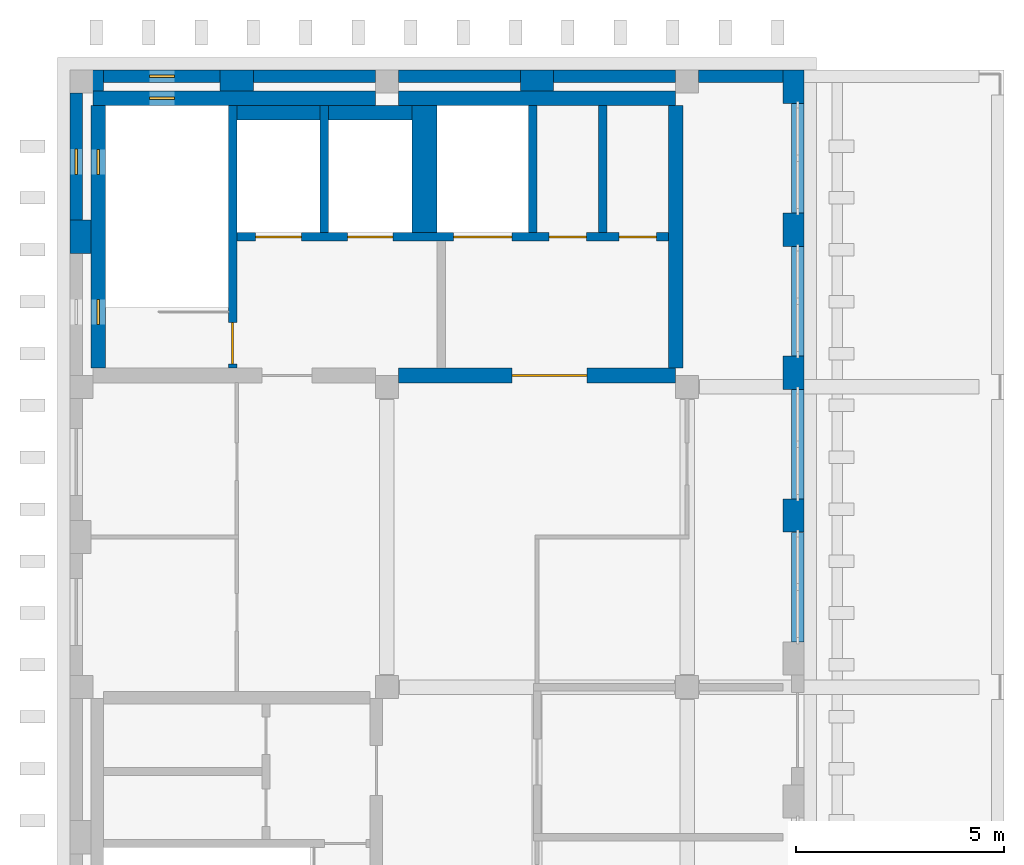
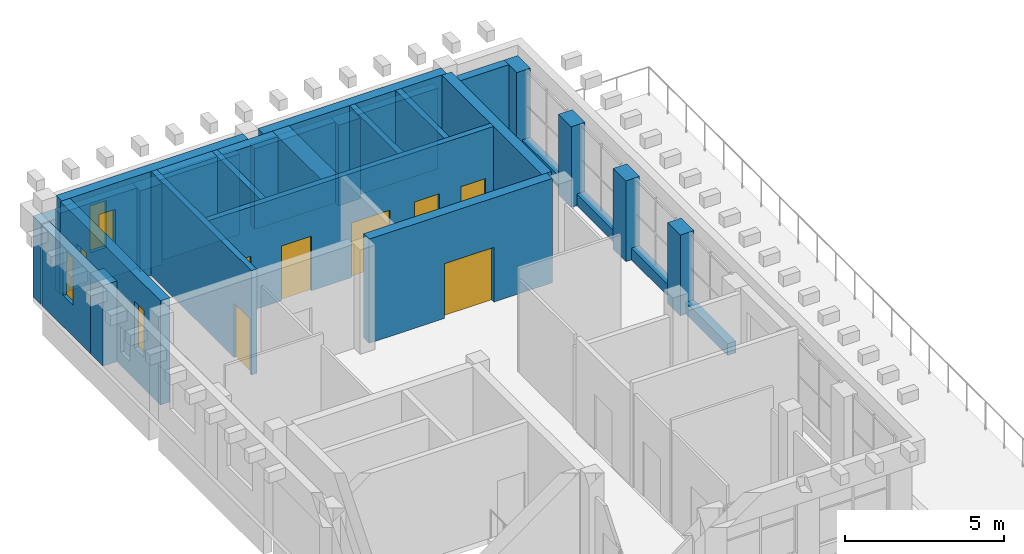
# One storey, part 5 of 6: 31 walls, 7 doors, 5 windows, 12 openings.
"""IFC4 building model written with IfcOpenShell, lengths in metres."""

from ifc_helpers import new_model, si_unit, direction, frame, frame_2d, origin, place, context, subcontext, project, spatial, rectangle, extrude, material, layer, layer_set, type_object, element, fill, save


model = new_model("IFC4")

# Units and contexts
model_context = context("Model", 3, precision=1e-05, world=origin(), true_north=direction((0.0, 1.0)))
body_context = subcontext(model_context, "Body", "Model", "MODEL_VIEW")
ifc_project = project(units=[si_unit("LENGTHUNIT", "METRE"), si_unit("AREAUNIT", "SQUARE_METRE"), si_unit("VOLUMEUNIT", "CUBIC_METRE"), si_unit("PLANEANGLEUNIT", "RADIAN"), si_unit("MASSUNIT", "GRAM", prefix="KILO")], contexts=[model_context])

# Site, building, storey
site_placement = place(None, origin())
site = spatial("IfcSite", under=ifc_project, at=site_placement, CompositionType="ELEMENT")
building_placement = place(site_placement, origin())
building = spatial("IfcBuilding", under=site, at=building_placement, Name="Ussher Court Research Institute", CompositionType="ELEMENT")
storey_placement = place(building_placement, frame((0.0, 0.0, 41.39990234375)))
storey = spatial("IfcBuildingStorey", under=building, at=storey_placement, Name="L09", CompositionType="ELEMENT", Elevation=41.39990234375)

# Walls
ifc_material_1 = material(Name="Blockwork with cream render", Category="masonry")
ifc_layer_1 = layer(ifc_material_1, 0.300048828125)
ifc_layer_set_1 = layer_set([ifc_layer_1], Name="Blockwork with cream render")
wall_type_1 = type_object("IfcWallType", Name="External wall 300 cream render", PredefinedType="SOLIDWALL", material=ifc_layer_set_1)
wall_1_placement = place(storey_placement, frame((96.875, 33.050048828125, 0.0), z_axis=(0.0, 0.0, 1.0), x_axis=(1.0, 0.0, 0.0)))
element("IfcWall", 1, at=wall_1_placement, inside=storey, type_object=wall_type_1, Name="External wall EW1 L09", PredefinedType="SOLIDWALL", context=body_context, shape_type="SweptSolid", body=[
    extrude(rectangle(XDim=2.02490234375, YDim=0.300048828125, at=frame_2d((1.012451171875, 0.0))), origin(), (0.0, 0.0, 1.0), 3.10009765625),
])
for number, where, z_axis, x_axis, name in (
    (2, (99.25, 32.39990234375, 0.0), (0.0, 0.0, 1.0), (0.0, -1.0, 0.0), "Plinth wall EW1 L09"),
    (3, (99.25, 28.971435546875, 0.0), (0.0, 0.0, 1.0), (0.0, -1.0, 0.0), "Plinth wall EW1 L09"),
):
    element("IfcWall", number, at=place(storey_placement, frame(where, z_axis=z_axis, x_axis=x_axis)), inside=storey, type_object=wall_type_1, Name=name, PredefinedType="SOLIDWALL", context=body_context, shape_type="SweptSolid", body=[
        extrude(rectangle(XDim=2.62841796875, YDim=0.300048828125, at=frame_2d((1.314208984375, 0.0))), origin(), (0.0, 0.0, 1.0), 0.4501953125),
    ])
for number, where, z_axis, x_axis, name in (
    (4, (99.25, 25.54296875, 0.0), (0.0, 0.0, 1.0), (0.0, -1.0, 0.0), "Plinth wall EW1 L09"),
    (5, (99.25, 22.1142578125, 0.0), (0.0, 0.0, 1.0), (0.0, -1.0, 0.0), "Plinth wall EW1 L09"),
):
    element("IfcWall", number, at=place(storey_placement, frame(where, z_axis=z_axis, x_axis=x_axis)), inside=storey, type_object=wall_type_1, Name=name, PredefinedType="SOLIDWALL", context=body_context, shape_type="SweptSolid", body=[
        extrude(rectangle(XDim=2.628662109375, YDim=0.300048828125, at=frame_2d((1.314453125, 0.0))), origin(), (0.0, 0.0, 1.0), 0.4501953125),
    ])

# Wall, opening, window
ifc_material_2 = material(Name="Limestone facing on blockwork", Category="masonry")
ifc_layer_2 = layer(ifc_material_2, 0.300048828125)
ifc_layer_set_2 = layer_set([ifc_layer_2], Name="Limestone facing on blockwork")
wall_type_2 = type_object("IfcWallType", Name="External wall 300 stair enclosure", PredefinedType="SOLIDWALL", material=ifc_layer_set_2)
wall_2_placement = place(storey_placement, frame((81.949951171875, 29.60009765625, 0.0), z_axis=(0.0, 0.0, 1.0), x_axis=(0.0, 1.0, 0.0)))
wall_2 = element("IfcWall", 6, at=wall_2_placement, inside=storey, type_object=wall_type_2, Name="External wall EW5 L09", PredefinedType="SOLIDWALL", context=body_context, shape_type="SweptSolid", body=[
    extrude(rectangle(XDim=3.0498046875, YDim=0.300048828125, at=frame_2d((1.52490234375, 0.0))), origin(), (0.0, 0.0, 1.0), 3.10009765625),
])
opening_1_placement = place(wall_2_placement, frame((1.10009765625, 0.0, 1.199951171875)))
opening_1 = element("IfcOpeningElement", 7, at=opening_1_placement, cuts=wall_2, Name="Opening W25", PredefinedType="OPENING", context=body_context, shape_type="SweptSolid", body=[
    extrude(rectangle(XDim=0.60009765625, YDim=1.800048828125, at=frame_2d((0.300048828125, 0.89990234375))), frame((0.0, 0.16015625, 0.0), z_axis=(0.0, -1.0, 0.0), x_axis=(1.0, 0.0, 0.0)), (0.0, 0.0, 1.0), 0.320068359375),
])
ifc_material_3 = material(Name="Bronze anodised aluminium with double glazing", Category="aluminium")
window_type = type_object("IfcWindowType", Name="Stair light slot window 600x1800 fire-resisting glazing", PartitioningType="SINGLE_PANEL", PredefinedType="WINDOW", material=ifc_material_3)
window_1_placement = place(opening_1_placement, origin())
window_1 = element("IfcWindow", 8, at=window_1_placement, inside=storey, type_object=window_type, Name="Window W25 L09", OverallHeight=1.800048828125, OverallWidth=0.60009765625, PartitioningType="SINGLE_PANEL", PredefinedType="WINDOW", context=body_context, shape_type="SweptSolid", body=[
    extrude(rectangle(XDim=0.60009765625, YDim=1.800048828125, at=frame_2d((0.300048828125, 0.89990234375))), frame((0.0, 0.030029296875, 0.0), z_axis=(0.0, -1.0, 0.0), x_axis=(1.0, 0.0, 0.0)), (0.0, 0.0, 1.0), 0.06005859375),
])
fill(opening_1, window_1)

wall_3_placement = place(storey_placement, frame((82.60009765625, 33.050048828125, 0.0), z_axis=(0.0, 0.0, 1.0), x_axis=(1.0, 0.0, 0.0)))
wall_3 = element("IfcWall", 9, at=wall_3_placement, inside=storey, type_object=wall_type_2, Name="External wall EW5 L09", PredefinedType="SOLIDWALL", context=body_context, shape_type="SweptSolid", body=[
    extrude(rectangle(XDim=2.7998046875, YDim=0.300048828125, at=frame_2d((1.39990234375, 0.0))), origin(), (0.0, 0.0, 1.0), 3.10009765625),
])
opening_2_placement = place(wall_3_placement, frame((1.10009765625, 0.0, 1.199951171875)))
opening_2 = element("IfcOpeningElement", 10, at=opening_2_placement, cuts=wall_3, Name="Opening W25", PredefinedType="OPENING", context=body_context, shape_type="SweptSolid", body=[
    extrude(rectangle(XDim=0.60009765625, YDim=1.800048828125, at=frame_2d((0.300048828125, 0.89990234375))), frame((0.0, 0.16015625, 0.0), z_axis=(0.0, -1.0, 0.0), x_axis=(1.0, 0.0, 0.0)), (0.0, 0.0, 1.0), 0.320068359375),
])
window_2_placement = place(opening_2_placement, origin())
window_2 = element("IfcWindow", 11, at=window_2_placement, inside=storey, type_object=window_type, Name="Window W25 L09", OverallHeight=1.800048828125, OverallWidth=0.60009765625, PartitioningType="SINGLE_PANEL", PredefinedType="WINDOW", context=body_context, shape_type="SweptSolid", body=[
    extrude(rectangle(XDim=0.60009765625, YDim=1.800048828125, at=frame_2d((0.300048828125, 0.89990234375))), frame((0.0, 0.030029296875, 0.0), z_axis=(0.0, -1.0, 0.0), x_axis=(1.0, 0.0, 0.0)), (0.0, 0.0, 1.0), 0.06005859375),
])
fill(opening_2, window_2)

# Walls
for number, where, z_axis, x_axis, name in (
    (12, (86.199951171875, 33.050048828125, 0.0), (0.0, 0.0, 1.0), (1.0, 0.0, 0.0), "External wall EW5 L09"),
    (13, (89.675048828125, 33.050048828125, 0.0), (0.0, 0.0, 1.0), (1.0, 0.0, 0.0), "External wall EW5 L09"),
    (14, (93.39990234375, 33.050048828125, 0.0), (0.0, 0.0, 1.0), (1.0, 0.0, 0.0), "External wall EW5 L09"),
):
    element("IfcWall", number, at=place(storey_placement, frame(where, z_axis=z_axis, x_axis=x_axis)), inside=storey, type_object=wall_type_2, Name=name, PredefinedType="SOLIDWALL", context=body_context, shape_type="SweptSolid", body=[
        extrude(rectangle(XDim=2.925048828125, YDim=0.300048828125, at=frame_2d((1.46240234375, 0.0))), origin(), (0.0, 0.0, 1.0), 3.10009765625),
    ])
ifc_material_4 = material(Name="Blockwork with cream render", Category="masonry")
ifc_layer_3 = layer(ifc_material_4, 0.5)
ifc_layer_set_3 = layer_set([ifc_layer_3], Name="Blockwork with cream render")
wall_type_3 = type_object("IfcWallType", Name="Pier 800x500 cream render", PredefinedType="SOLIDWALL", material=ifc_layer_set_3)
for number, where, z_axis, x_axis, name in (
    (15, (82.050048828125, 28.800048828125, 0.0), (0.0, 0.0, 1.0), (0.0, 1.0, 0.0), "Pier PR1 L09"),
    (16, (81.800048828125, 32.949951171875, 0.0), (0.0, 0.0, 1.0), (1.0, 0.0, 0.0), "Pier PR1 L09"),
    (17, (85.39990234375, 32.949951171875, 0.0), (0.0, 0.0, 1.0), (1.0, 0.0, 0.0), "Pier PR1 L09"),
):
    element("IfcWall", number, at=place(storey_placement, frame(where, z_axis=z_axis, x_axis=x_axis)), inside=storey, type_object=wall_type_3, Name=name, PredefinedType="SOLIDWALL", context=body_context, shape_type="SweptSolid", body=[
        extrude(rectangle(XDim=0.800048828125, YDim=0.5, at=frame_2d((0.39990234375, 0.0))), origin(), (0.0, 0.0, 1.0), 3.10009765625),
    ])
wall_4_placement = place(storey_placement, frame((92.60009765625, 32.949951171875, 0.0), z_axis=(0.0, 0.0, 1.0), x_axis=(1.0, 0.0, 0.0)))
element("IfcWall", 18, at=wall_4_placement, inside=storey, type_object=wall_type_3, Name="Pier PR1 L09", PredefinedType="SOLIDWALL", context=body_context, shape_type="SweptSolid", body=[
    extrude(rectangle(XDim=0.7998046875, YDim=0.5, at=frame_2d((0.39990234375, 0.0))), origin(), (0.0, 0.0, 1.0), 3.10009765625),
])
for number, where, z_axis, x_axis, name in (
    (19, (99.14990234375, 33.199951171875, 0.0), (0.0, 0.0, 1.0), (0.0, -1.0, 0.0), "Pier PR1 L09"),
    (20, (99.14990234375, 29.771484375, 0.0), (0.0, 0.0, 1.0), (0.0, -1.0, 0.0), "Pier PR1 L09"),
    (21, (99.14990234375, 26.343017578125, 0.0), (0.0, 0.0, 1.0), (0.0, -1.0, 0.0), "Pier PR1 L09"),
    (22, (99.14990234375, 22.914306640625, 0.0), (0.0, 0.0, 1.0), (0.0, -1.0, 0.0), "Pier PR1 L09"),
):
    element("IfcWall", number, at=place(storey_placement, frame(where, z_axis=z_axis, x_axis=x_axis)), inside=storey, type_object=wall_type_3, Name=name, PredefinedType="SOLIDWALL", context=body_context, shape_type="SweptSolid", body=[
        extrude(rectangle(XDim=0.800048828125, YDim=0.5, at=frame_2d((0.39990234375, 0.0))), origin(), (0.0, 0.0, 1.0), 3.10009765625),
    ])

# Wall, opening, door
ifc_material_5 = material(Name="Concrete C35/45", Category="concrete")
ifc_layer_4 = layer(ifc_material_5, 0.199951171875)
ifc_layer_set_4 = layer_set([ifc_layer_4], Name="Concrete C35/45")
wall_type_4 = type_object("IfcWallType", Name="RC core wall 200", PredefinedType="SHEAR", material=ifc_layer_set_4)
wall_5_placement = place(storey_placement, frame((85.699951171875, 26.050048828125, 0.0), z_axis=(0.0, 0.0, 1.0), x_axis=(0.0, 1.0, 0.0)))
wall_5 = element("IfcWall", 23, at=wall_5_placement, inside=storey, type_object=wall_type_4, Name="Core wall T1", PredefinedType="SHEAR", context=body_context, shape_type="SweptSolid", body=[
    extrude(rectangle(XDim=6.300048828125, YDim=0.199951171875, at=frame_2d((3.14990234375, 0.0))), origin(), (0.0, 0.0, 1.0), 4.0),
])
opening_3_placement = place(wall_5_placement, frame((0.10009765625, 0.0, 0.0)))
opening_3 = element("IfcOpeningElement", 24, at=opening_3_placement, cuts=wall_5, Name="Opening D09001", PredefinedType="OPENING", context=body_context, shape_type="SweptSolid", body=[
    extrude(rectangle(XDim=1.0, YDim=2.10009765625, at=frame_2d((0.5, 1.050048828125))), frame((0.0, 0.10986328125, 0.0), z_axis=(0.0, -1.0, 0.0), x_axis=(1.0, 0.0, 0.0)), (0.0, 0.0, 1.0), 0.219970703125),
])
ifc_material_6 = material(Name="Painted steel faced fire door", Category="steel")
door_type_1 = type_object("IfcDoorType", Name="Fire door 1000x2100 FD60", OperationType="NOTDEFINED", PredefinedType="DOOR", material=ifc_material_6)
door_1_placement = place(opening_3_placement, origin())
door_1 = element("IfcDoor", 25, at=door_1_placement, inside=storey, type_object=door_type_1, Name="Door D09001", OperationType="SINGLE_SWING_LEFT", OverallHeight=2.10009765625, OverallWidth=1.0, PredefinedType="DOOR", context=body_context, shape_type="SweptSolid", body=[
    extrude(rectangle(XDim=1.0, YDim=2.10009765625, at=frame_2d((0.5, 1.050048828125))), frame((0.0, 0.02490234375, 0.0), z_axis=(0.0, -1.0, 0.0), x_axis=(1.0, 0.0, 0.0)), (0.0, 0.0, 1.0), 0.050048828125),
])
fill(opening_3, door_1)

# Wall, openings, doors
wall_6_placement = place(storey_placement, frame((96.14990234375, 29.199951171875, 0.0), z_axis=(0.0, 0.0, 1.0), x_axis=(-1.0, 0.0, 0.0)))
wall_6 = element("IfcWall", 26, at=wall_6_placement, inside=storey, type_object=wall_type_4, Name="Core wall T1", PredefinedType="SHEAR", context=body_context, shape_type="SweptSolid", body=[
    extrude(rectangle(XDim=10.349853515625, YDim=0.199951171875, at=frame_2d((5.1748046875, 0.0))), origin(), (0.0, 0.0, 1.0), 4.0),
])
opening_4_placement = place(wall_6_placement, frame((8.800048828125, 0.0, 0.0)))
opening_4 = element("IfcOpeningElement", 27, at=opening_4_placement, cuts=wall_6, Name="Opening LD77", PredefinedType="OPENING", context=body_context, shape_type="SweptSolid", body=[
    extrude(rectangle(XDim=1.10009765625, YDim=2.10009765625, at=frame_2d((0.550048828125, 1.050048828125))), frame((0.0, 0.10986328125, 0.0), z_axis=(0.0, -1.0, 0.0), x_axis=(1.0, 0.0, 0.0)), (0.0, 0.0, 1.0), 0.219970703125),
])
opening_5_placement = place(wall_6_placement, frame((6.60009765625, 0.0, 0.0)))
opening_5 = element("IfcOpeningElement", 28, at=opening_5_placement, cuts=wall_6, Name="Opening LD78", PredefinedType="OPENING", context=body_context, shape_type="SweptSolid", body=[
    extrude(rectangle(XDim=1.10009765625, YDim=2.10009765625, at=frame_2d((0.550048828125, 1.050048828125))), frame((0.0, 0.10986328125, 0.0), z_axis=(0.0, -1.0, 0.0), x_axis=(1.0, 0.0, 0.0)), (0.0, 0.0, 1.0), 0.219970703125),
])
opening_6_placement = place(wall_6_placement, frame((3.75, 0.0, 0.0)))
opening_6 = element("IfcOpeningElement", 29, at=opening_6_placement, cuts=wall_6, Name="Opening LD79", PredefinedType="OPENING", context=body_context, shape_type="SweptSolid", body=[
    extrude(rectangle(XDim=1.39990234375, YDim=2.10009765625, at=frame_2d((0.699951171875, 1.050048828125))), frame((0.0, 0.10986328125, 0.0), z_axis=(0.0, -1.0, 0.0), x_axis=(1.0, 0.0, 0.0)), (0.0, 0.0, 1.0), 0.219970703125),
])
opening_7_placement = place(wall_6_placement, frame((1.96240234375, 0.0, 0.0)))
opening_7 = element("IfcOpeningElement", 30, at=opening_7_placement, cuts=wall_6, Name="Opening D09014", PredefinedType="OPENING", context=body_context, shape_type="SweptSolid", body=[
    extrude(rectangle(XDim=0.89990234375, YDim=2.10009765625, at=frame_2d((0.449951171875, 1.050048828125))), frame((0.0, 0.10986328125, 0.0), z_axis=(0.0, -1.0, 0.0), x_axis=(1.0, 0.0, 0.0)), (0.0, 0.0, 1.0), 0.219970703125),
])
opening_8_placement = place(wall_6_placement, frame((0.28759765625, 0.0, 0.0)))
opening_8 = element("IfcOpeningElement", 31, at=opening_8_placement, cuts=wall_6, Name="Opening D09015", PredefinedType="OPENING", context=body_context, shape_type="SweptSolid", body=[
    extrude(rectangle(XDim=0.89990234375, YDim=2.10009765625, at=frame_2d((0.449951171875, 1.050048828125))), frame((0.0, 0.10986328125, 0.0), z_axis=(0.0, -1.0, 0.0), x_axis=(1.0, 0.0, 0.0)), (0.0, 0.0, 1.0), 0.219970703125),
])
ifc_material_7 = material(Name="Painted steel faced fire door", Category="steel")
door_type_2 = type_object("IfcDoorType", Name="Fire door 900x2100 FD60", OperationType="NOTDEFINED", PredefinedType="DOOR", material=ifc_material_7)
door_2_placement = place(opening_7_placement, origin())
door_2 = element("IfcDoor", 32, at=door_2_placement, inside=storey, type_object=door_type_2, Name="Door D09014", OperationType="SINGLE_SWING_LEFT", OverallHeight=2.10009765625, OverallWidth=0.89990234375, PredefinedType="DOOR", context=body_context, shape_type="SweptSolid", body=[
    extrude(rectangle(XDim=0.89990234375, YDim=2.10009765625, at=frame_2d((0.449951171875, 1.050048828125))), frame((0.0, 0.02490234375, 0.0), z_axis=(0.0, -1.0, 0.0), x_axis=(1.0, 0.0, 0.0)), (0.0, 0.0, 1.0), 0.050048828125),
])
fill(opening_7, door_2)
door_3_placement = place(opening_8_placement, origin())
door_3 = element("IfcDoor", 33, at=door_3_placement, inside=storey, type_object=door_type_2, Name="Door D09015", OperationType="SINGLE_SWING_LEFT", OverallHeight=2.10009765625, OverallWidth=0.89990234375, PredefinedType="DOOR", context=body_context, shape_type="SweptSolid", body=[
    extrude(rectangle(XDim=0.89990234375, YDim=2.10009765625, at=frame_2d((0.449951171875, 1.050048828125))), frame((0.0, 0.02490234375, 0.0), z_axis=(0.0, -1.0, 0.0), x_axis=(1.0, 0.0, 0.0)), (0.0, 0.0, 1.0), 0.050048828125),
])
fill(opening_8, door_3)
ifc_material_8 = material(Name="Stainless steel lift door", Category="steel")
door_type_3 = type_object("IfcDoorType", Name="Lift landing door 1100x2100 sliding", OperationType="DOUBLE_DOOR_SLIDING", PredefinedType="DOOR", material=ifc_material_8)
door_4_placement = place(opening_4_placement, origin())
door_4 = element("IfcDoor", 34, at=door_4_placement, inside=storey, type_object=door_type_3, Name="Landing door T1-1 L09", OperationType="DOUBLE_DOOR_SLIDING", OverallHeight=2.10009765625, OverallWidth=1.10009765625, PredefinedType="DOOR", context=body_context, shape_type="SweptSolid", body=[
    extrude(rectangle(XDim=1.10009765625, YDim=2.10009765625, at=frame_2d((0.550048828125, 1.050048828125))), frame((0.0, 0.02490234375, 0.0), z_axis=(0.0, -1.0, 0.0), x_axis=(1.0, 0.0, 0.0)), (0.0, 0.0, 1.0), 0.050048828125),
])
fill(opening_4, door_4)
door_5_placement = place(opening_5_placement, origin())
door_5 = element("IfcDoor", 35, at=door_5_placement, inside=storey, type_object=door_type_3, Name="Landing door T1-2 L09", OperationType="DOUBLE_DOOR_SLIDING", OverallHeight=2.10009765625, OverallWidth=1.10009765625, PredefinedType="DOOR", context=body_context, shape_type="SweptSolid", body=[
    extrude(rectangle(XDim=1.10009765625, YDim=2.10009765625, at=frame_2d((0.550048828125, 1.050048828125))), frame((0.0, 0.02490234375, 0.0), z_axis=(0.0, -1.0, 0.0), x_axis=(1.0, 0.0, 0.0)), (0.0, 0.0, 1.0), 0.050048828125),
])
fill(opening_5, door_5)
ifc_material_9 = material(Name="Stainless steel lift door", Category="steel")
door_type_4 = type_object("IfcDoorType", Name="Lift landing door 1400x2100 sliding", OperationType="DOUBLE_DOOR_SLIDING", PredefinedType="DOOR", material=ifc_material_9)
door_6_placement = place(opening_6_placement, origin())
door_6 = element("IfcDoor", 36, at=door_6_placement, inside=storey, type_object=door_type_4, Name="Landing door T1-3 L09", OperationType="DOUBLE_DOOR_SLIDING", OverallHeight=2.10009765625, OverallWidth=1.39990234375, PredefinedType="DOOR", context=body_context, shape_type="SweptSolid", body=[
    extrude(rectangle(XDim=1.39990234375, YDim=2.10009765625, at=frame_2d((0.699951171875, 1.050048828125))), frame((0.0, 0.02490234375, 0.0), z_axis=(0.0, -1.0, 0.0), x_axis=(1.0, 0.0, 0.0)), (0.0, 0.0, 1.0), 0.050048828125),
])
fill(opening_6, door_6)

# Walls
for number, where, z_axis, x_axis, name in (
    (37, (87.89990234375, 29.300048828125, 0.0), (0.0, 0.0, 1.0), (0.0, 1.0, 0.0), "Core wall T1"),
    (38, (92.89990234375, 29.300048828125, 0.0), (0.0, 0.0, 1.0), (0.0, 1.0, 0.0), "Core wall T1"),
    (39, (94.574951171875, 29.300048828125, 0.0), (0.0, 0.0, 1.0), (0.0, 1.0, 0.0), "Core wall T1"),
):
    element("IfcWall", number, at=place(storey_placement, frame(where, z_axis=z_axis, x_axis=x_axis)), inside=storey, type_object=wall_type_4, Name=name, PredefinedType="SHEAR", context=body_context, shape_type="SweptSolid", body=[
        extrude(rectangle(XDim=3.050048828125, YDim=0.199951171875, at=frame_2d((1.52490234375, 0.0))), origin(), (0.0, 0.0, 1.0), 4.0),
    ])

# Wall, opening, door
ifc_material_10 = material(Name="Concrete C35/45", Category="concrete")
ifc_layer_5 = layer(ifc_material_10, 0.35009765625)
ifc_layer_set_5 = layer_set([ifc_layer_5], Name="Concrete C35/45")
wall_type_5 = type_object("IfcWallType", Name="RC core wall 350", PredefinedType="SHEAR", material=ifc_layer_set_5)
wall_7_placement = place(storey_placement, frame((89.675048828125, 25.875, 0.0), z_axis=(0.0, 0.0, 1.0), x_axis=(1.0, 0.0, 0.0)))
wall_7 = element("IfcWall", 40, at=wall_7_placement, inside=storey, type_object=wall_type_5, Name="Core wall T1", PredefinedType="SHEAR", context=body_context, shape_type="SweptSolid", body=[
    extrude(rectangle(XDim=6.64990234375, YDim=0.35009765625, at=frame_2d((3.324951171875, 0.0))), origin(), (0.0, 0.0, 1.0), 4.0),
])
opening_9_placement = place(wall_7_placement, frame((2.72509765625, 0.0, 0.0)))
opening_9 = element("IfcOpeningElement", 41, at=opening_9_placement, cuts=wall_7, Name="Opening D09013", PredefinedType="OPENING", context=body_context, shape_type="SweptSolid", body=[
    extrude(rectangle(XDim=1.800048828125, YDim=2.10009765625, at=frame_2d((0.89990234375, 1.050048828125))), frame((0.0, 0.18505859375, 0.0), z_axis=(0.0, -1.0, 0.0), x_axis=(1.0, 0.0, 0.0)), (0.0, 0.0, 1.0), 0.3701171875),
])
ifc_material_11 = material(Name="Painted steel faced fire door", Category="steel")
door_type_5 = type_object("IfcDoorType", Name="Fire door 1800x2100 FD60 double leaf", OperationType="DOUBLE_DOOR_SINGLE_SWING", PredefinedType="DOOR", material=ifc_material_11)
door_7_placement = place(opening_9_placement, origin())
door_7 = element("IfcDoor", 42, at=door_7_placement, inside=storey, type_object=door_type_5, Name="Door D09013", OperationType="SINGLE_SWING_LEFT", OverallHeight=2.10009765625, OverallWidth=1.800048828125, PredefinedType="DOOR", context=body_context, shape_type="SweptSolid", body=[
    extrude(rectangle(XDim=1.800048828125, YDim=2.10009765625, at=frame_2d((0.89990234375, 1.050048828125))), frame((0.0, 0.02490234375, 0.0), z_axis=(0.0, -1.0, 0.0), x_axis=(1.0, 0.0, 0.0)), (0.0, 0.0, 1.0), 0.050048828125),
])
fill(opening_9, door_7)

# Wall, opening, window
wall_8_placement = place(storey_placement, frame((82.35009765625, 32.52490234375, 0.0), z_axis=(0.0, 0.0, 1.0), x_axis=(1.0, 0.0, 0.0)))
wall_8 = element("IfcWall", 43, at=wall_8_placement, inside=storey, type_object=wall_type_5, Name="Core wall T1", PredefinedType="SHEAR", context=body_context, shape_type="SweptSolid", body=[
    extrude(rectangle(XDim=6.77490234375, YDim=0.35009765625, at=frame_2d((3.387451171875, 0.0))), origin(), (0.0, 0.0, 1.0), 4.0),
])
opening_10_placement = place(wall_8_placement, frame((1.35009765625, 0.0, 1.199951171875)))
opening_10 = element("IfcOpeningElement", 44, at=opening_10_placement, cuts=wall_8, Name="Opening W25", PredefinedType="OPENING", context=body_context, shape_type="SweptSolid", body=[
    extrude(rectangle(XDim=0.60009765625, YDim=1.800048828125, at=frame_2d((0.300048828125, 0.89990234375))), frame((0.0, 0.18505859375, 0.0), z_axis=(0.0, -1.0, 0.0), x_axis=(1.0, 0.0, 0.0)), (0.0, 0.0, 1.0), 0.3701171875),
])
window_3_placement = place(opening_10_placement, origin())
window_3 = element("IfcWindow", 45, at=window_3_placement, inside=storey, type_object=window_type, Name="Window stair light T1 L09", OverallHeight=1.800048828125, OverallWidth=0.60009765625, PartitioningType="SINGLE_PANEL", PredefinedType="WINDOW", context=body_context, shape_type="SweptSolid", body=[
    extrude(rectangle(XDim=0.60009765625, YDim=1.800048828125, at=frame_2d((0.300048828125, 0.89990234375))), frame((0.0, 0.030029296875, 0.0), z_axis=(0.0, -1.0, 0.0), x_axis=(1.0, 0.0, 0.0)), (0.0, 0.0, 1.0), 0.06005859375),
])
fill(opening_10, window_3)

# Wall
wall_9_placement = place(storey_placement, frame((89.675048828125, 32.52490234375, 0.0), z_axis=(0.0, 0.0, 1.0), x_axis=(1.0, 0.0, 0.0)))
element("IfcWall", 46, at=wall_9_placement, inside=storey, type_object=wall_type_5, Name="Core wall T1", PredefinedType="SHEAR", context=body_context, shape_type="SweptSolid", body=[
    extrude(rectangle(XDim=6.64990234375, YDim=0.35009765625, at=frame_2d((3.324951171875, 0.0))), origin(), (0.0, 0.0, 1.0), 4.0),
])

# Wall, openings, windows
wall_10_placement = place(storey_placement, frame((82.47509765625, 26.050048828125, 0.0), z_axis=(0.0, 0.0, 1.0), x_axis=(0.0, 1.0, 0.0)))
wall_10 = element("IfcWall", 47, at=wall_10_placement, inside=storey, type_object=wall_type_5, Name="Core wall T1", PredefinedType="SHEAR", context=body_context, shape_type="SweptSolid", body=[
    extrude(rectangle(XDim=6.300048828125, YDim=0.35009765625, at=frame_2d((3.14990234375, 0.0))), origin(), (0.0, 0.0, 1.0), 4.0),
])
opening_11_placement = place(wall_10_placement, frame((1.050048828125, 0.0, 1.199951171875)))
opening_11 = element("IfcOpeningElement", 48, at=opening_11_placement, cuts=wall_10, Name="Opening W25", PredefinedType="OPENING", context=body_context, shape_type="SweptSolid", body=[
    extrude(rectangle(XDim=0.60009765625, YDim=1.800048828125, at=frame_2d((0.300048828125, 0.89990234375))), frame((0.0, 0.18505859375, 0.0), z_axis=(0.0, -1.0, 0.0), x_axis=(1.0, 0.0, 0.0)), (0.0, 0.0, 1.0), 0.3701171875),
])
opening_12_placement = place(wall_10_placement, frame((4.64990234375, 0.0, 1.199951171875)))
opening_12 = element("IfcOpeningElement", 49, at=opening_12_placement, cuts=wall_10, Name="Opening W25", PredefinedType="OPENING", context=body_context, shape_type="SweptSolid", body=[
    extrude(rectangle(XDim=0.60009765625, YDim=1.800048828125, at=frame_2d((0.300048828125, 0.89990234375))), frame((0.0, 0.18505859375, 0.0), z_axis=(0.0, -1.0, 0.0), x_axis=(1.0, 0.0, 0.0)), (0.0, 0.0, 1.0), 0.3701171875),
])
window_4_placement = place(opening_11_placement, origin())
window_4 = element("IfcWindow", 50, at=window_4_placement, inside=storey, type_object=window_type, Name="Window stair light T1 L09", OverallHeight=1.800048828125, OverallWidth=0.60009765625, PartitioningType="SINGLE_PANEL", PredefinedType="WINDOW", context=body_context, shape_type="SweptSolid", body=[
    extrude(rectangle(XDim=0.60009765625, YDim=1.800048828125, at=frame_2d((0.300048828125, 0.89990234375))), frame((0.0, 0.030029296875, 0.0), z_axis=(0.0, -1.0, 0.0), x_axis=(1.0, 0.0, 0.0)), (0.0, 0.0, 1.0), 0.06005859375),
])
fill(opening_11, window_4)
window_5_placement = place(opening_12_placement, origin())
window_5 = element("IfcWindow", 51, at=window_5_placement, inside=storey, type_object=window_type, Name="Window stair light T1 L09", OverallHeight=1.800048828125, OverallWidth=0.60009765625, PartitioningType="SINGLE_PANEL", PredefinedType="WINDOW", context=body_context, shape_type="SweptSolid", body=[
    extrude(rectangle(XDim=0.60009765625, YDim=1.800048828125, at=frame_2d((0.300048828125, 0.89990234375))), frame((0.0, 0.030029296875, 0.0), z_axis=(0.0, -1.0, 0.0), x_axis=(1.0, 0.0, 0.0)), (0.0, 0.0, 1.0), 0.06005859375),
])
fill(opening_12, window_5)

# Walls
wall_11_placement = place(storey_placement, frame((96.324951171875, 26.050048828125, 0.0), z_axis=(0.0, 0.0, 1.0), x_axis=(0.0, 1.0, 0.0)))
element("IfcWall", 52, at=wall_11_placement, inside=storey, type_object=wall_type_5, Name="Core wall T1", PredefinedType="SHEAR", context=body_context, shape_type="SweptSolid", body=[
    extrude(rectangle(XDim=6.300048828125, YDim=0.35009765625, at=frame_2d((3.14990234375, 0.0))), origin(), (0.0, 0.0, 1.0), 4.0),
])
for number, where, z_axis, x_axis, name in (
    (53, (85.800048828125, 32.175048828125, 0.0), (0.0, 0.0, 1.0), (1.0, 0.0, 0.0), "Core wall T1"),
    (54, (88.0, 32.175048828125, 0.0), (0.0, 0.0, 1.0), (1.0, 0.0, 0.0), "Core wall T1"),
):
    element("IfcWall", number, at=place(storey_placement, frame(where, z_axis=z_axis, x_axis=x_axis)), inside=storey, type_object=wall_type_5, Name=name, PredefinedType="SHEAR", context=body_context, shape_type="SweptSolid", body=[
        extrude(rectangle(XDim=2.0, YDim=0.35009765625, at=frame_2d((1.0, 0.0))), origin(), (0.0, 0.0, 1.0), 4.0),
    ])
ifc_material_12 = material(Name="Concrete C35/45", Category="concrete")
ifc_layer_6 = layer(ifc_material_12, 0.60009765625)
ifc_layer_set_6 = layer_set([ifc_layer_6], Name="Concrete C35/45")
wall_type_6 = type_object("IfcWallType", Name="RC core wall 600", PredefinedType="SHEAR", material=ifc_layer_set_6)
wall_12_placement = place(storey_placement, frame((90.300048828125, 29.300048828125, 0.0), z_axis=(0.0, 0.0, 1.0), x_axis=(0.0, 1.0, 0.0)))
element("IfcWall", 55, at=wall_12_placement, inside=storey, type_object=wall_type_6, Name="Core wall T1", PredefinedType="SHEAR", context=body_context, shape_type="SweptSolid", body=[
    extrude(rectangle(XDim=3.050048828125, YDim=0.60009765625, at=frame_2d((1.52490234375, 0.0))), origin(), (0.0, 0.0, 1.0), 4.0),
])

save(model, "model.ifc")
